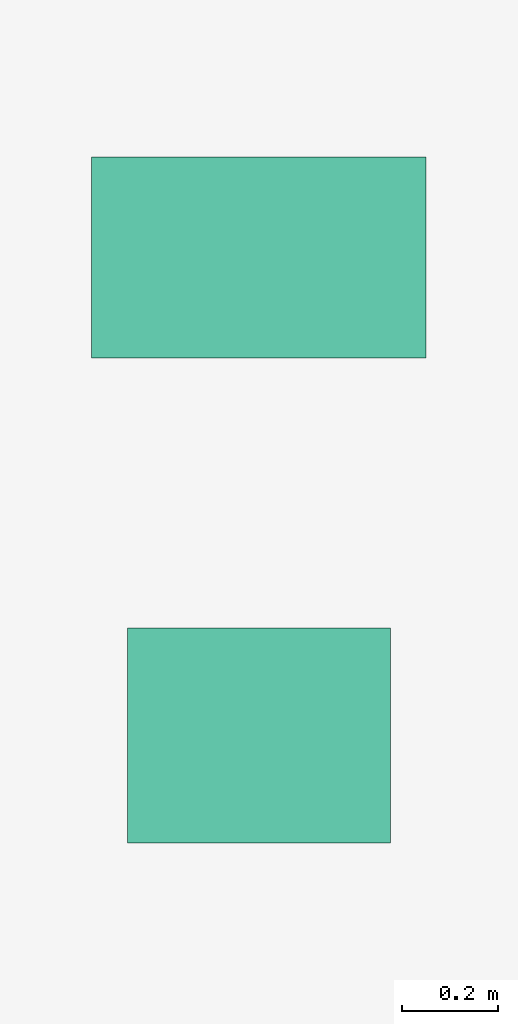
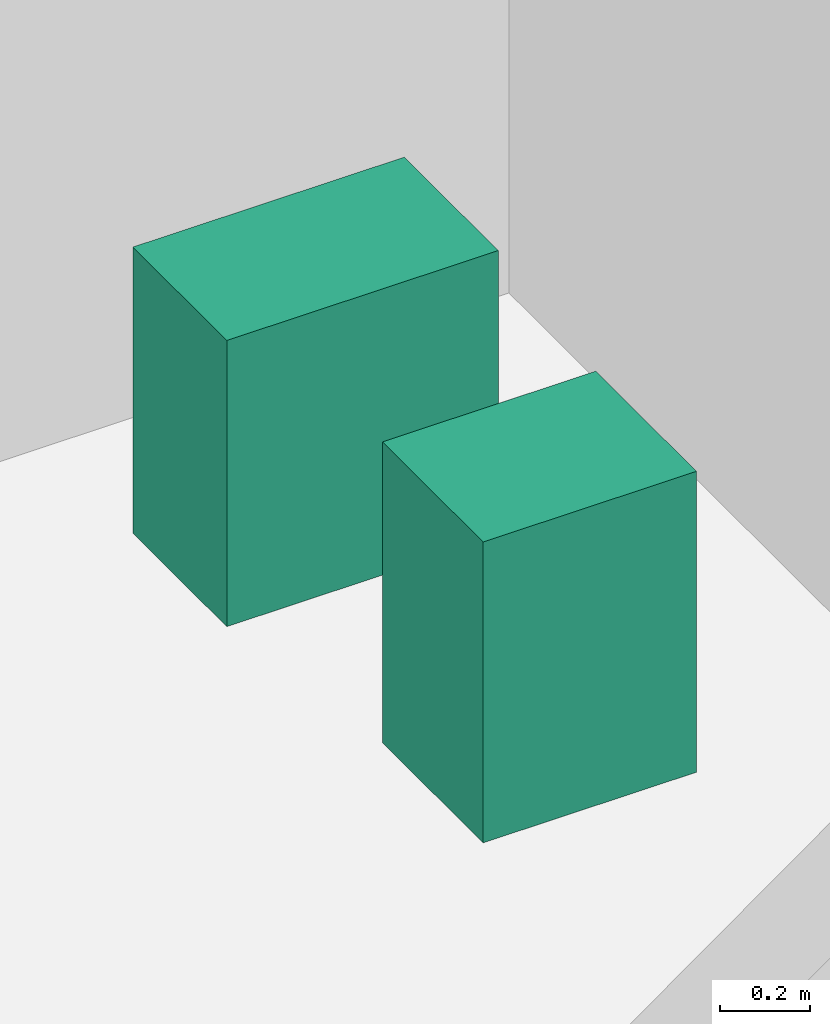
# One storey, part 28 of 28: 2 sanitary terminals.
"""IFC4 building model written with IfcOpenShell, lengths in metres."""

from ifc_helpers import new_model, si_unit, direction, frame, origin, origin_2d, place, context, subcontext, project, spatial, rectangle, extrude, source, transform, mapped, material, type_object, element, save


model = new_model("IFC4")

# Units and contexts
model_context = context("Model", 3, precision=1e-05, world=origin(), true_north=direction((0.0, 1.0)))
body_context = subcontext(model_context, "Body", "Model", "MODEL_VIEW")
ifc_project = project(units=[si_unit("LENGTHUNIT", "METRE"), si_unit("AREAUNIT", "SQUARE_METRE"), si_unit("VOLUMEUNIT", "CUBIC_METRE"), si_unit("PLANEANGLEUNIT", "RADIAN"), si_unit("MASSUNIT", "GRAM", prefix="KILO")], contexts=[model_context])

# Site, building, storey
site_placement = place(None, origin())
site = spatial("IfcSite", under=ifc_project, at=site_placement, CompositionType="ELEMENT")
building_placement = place(site_placement, origin())
building = spatial("IfcBuilding", under=site, at=building_placement, Name="Sumidabori Civic Tower", CompositionType="ELEMENT")
storey_placement = place(building_placement, frame((0.0, 0.0, 182.0)))
storey = spatial("IfcBuildingStorey", under=building, at=storey_placement, Name="L47", CompositionType="ELEMENT", Elevation=182.0)

# Sanitary terminals
ifc_material = material(Name="Vitreous Sanitary Porcelain")
sanitary_terminal_type_1 = type_object("IfcSanitaryTerminalType", Name="SN-WC-1", PredefinedType="TOILETPAN", material=ifc_material)
shared_shape_1 = source(origin(), body_context, "Body", "SweptSolid", [
    extrude(rectangle(XDim=0.699951171875, YDim=0.419921875, at=origin_2d()), origin(), (0.0, 0.0, 1.0), 0.780029296875),
])
sanitary_terminal_1_placement = place(storey_placement, frame((10.800048828125, 21.85009765625, 0.0), z_axis=(0.0, 0.0, 1.0), x_axis=(1.0, 0.0, 0.0)))
element("IfcSanitaryTerminal", 1, at=sanitary_terminal_1_placement, inside=storey, type_object=sanitary_terminal_type_1, Name="Accessible WC Pan L47", PredefinedType="TOILETPAN", context=body_context, shape_type="MappedRepresentation", body=[
    mapped(shared_shape_1, transform((0.0, 0.0, 0.0), x_axis=(1.0, 0.0, 0.0), y_axis=(0.0, 1.0, 0.0), z_axis=(0.0, 0.0, 1.0), scale=1.0)),
])
sanitary_terminal_type_2 = type_object("IfcSanitaryTerminalType", Name="SN-BAS-1", PredefinedType="WASHHANDBASIN", material=ifc_material)
shared_shape_2 = source(origin(), body_context, "Body", "SweptSolid", [
    extrude(rectangle(XDim=0.550048828125, YDim=0.449951171875, at=origin_2d()), origin(), (0.0, 0.0, 1.0), 0.820068359375),
])
sanitary_terminal_2_placement = place(storey_placement, frame((10.800048828125, 20.85009765625, 0.0), z_axis=(0.0, 0.0, 1.0), x_axis=(1.0, 0.0, 0.0)))
element("IfcSanitaryTerminal", 2, at=sanitary_terminal_2_placement, inside=storey, type_object=sanitary_terminal_type_2, Name="Accessible Basin L47", PredefinedType="WASHHANDBASIN", context=body_context, shape_type="MappedRepresentation", body=[
    mapped(shared_shape_2, transform((0.0, 0.0, 0.0), x_axis=(1.0, 0.0, 0.0), y_axis=(0.0, 1.0, 0.0), z_axis=(0.0, 0.0, 1.0), scale=1.0)),
])

save(model, "model.ifc")
